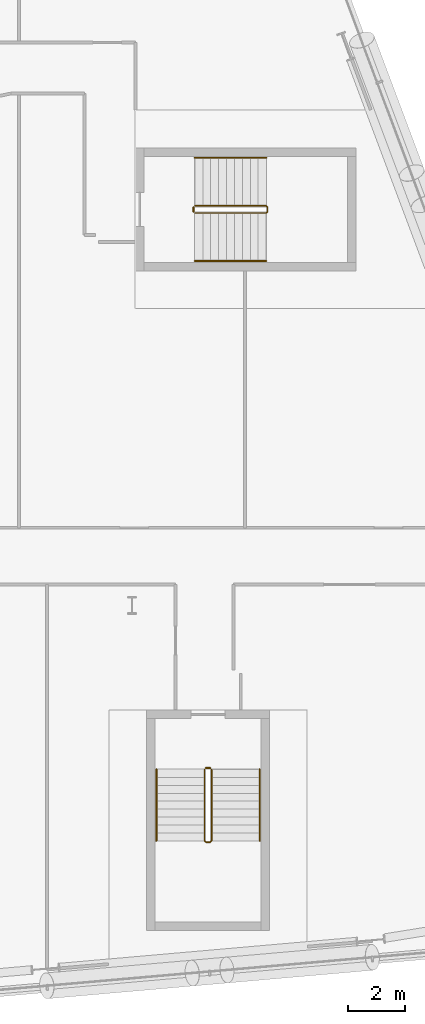
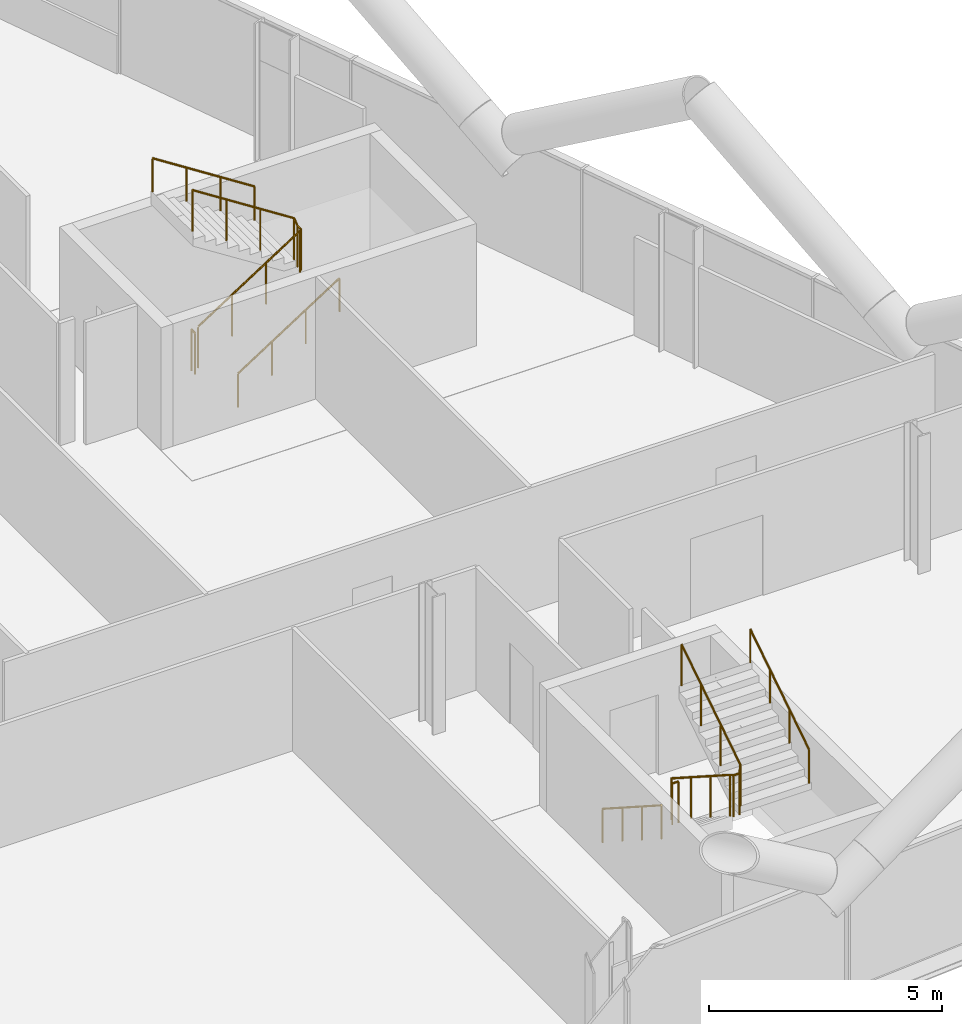
# One storey, part 27 of 27: 8 railings.
"""IFC4 building model written with IfcOpenShell, lengths in metres."""

from ifc_helpers import new_model, si_unit, direction, frame, origin, origin_2d, place, context, subcontext, project, spatial, circle, extrude, material, type_object, element, save


model = new_model("IFC4")

# Units and contexts
model_context = context("Model", 3, precision=1e-05, world=origin(), true_north=direction((0.0, 1.0)))
body_context = subcontext(model_context, "Body", "Model", "MODEL_VIEW")
ifc_project = project(units=[si_unit("LENGTHUNIT", "METRE"), si_unit("AREAUNIT", "SQUARE_METRE"), si_unit("VOLUMEUNIT", "CUBIC_METRE"), si_unit("PLANEANGLEUNIT", "RADIAN"), si_unit("MASSUNIT", "GRAM", prefix="KILO")], contexts=[model_context])

# Site, building, storey
site_placement = place(None, origin())
site = spatial("IfcSite", under=ifc_project, at=site_placement, CompositionType="ELEMENT")
building_placement = place(site_placement, origin())
building = spatial("IfcBuilding", under=site, at=building_placement, Name="Wharfspan Tower", CompositionType="ELEMENT")
storey_placement = place(building_placement, frame((0.0, 0.0, 48.699951)))
storey = spatial("IfcBuildingStorey", under=building, at=storey_placement, Name="L08", CompositionType="ELEMENT", Elevation=48.699951)

# Railings
ifc_material = material(Name="Steel S355J2", Category="steel")
railing_type_1 = type_object("IfcRailingType", Name="Stair guard 1100", PredefinedType="GUARDRAIL", material=ifc_material)
railing_1_placement = place(storey_placement, frame((74.567383, 5.691895, 0.179932)))
element("IfcRailing", 1, at=railing_1_placement, inside=storey, type_object=railing_type_1, Name="L08 ST5 stair guard 1", PredefinedType="GUARDRAIL", context=body_context, shape_type="SweptSolid", body=[
    extrude(circle(Radius=0.023926, at=origin_2d()), frame((0.0, 0.0, 1.076172), z_axis=(0.0, -0.841139, 0.540819), x_axis=(1.0, 0.0, 0.0)), (0.0, 0.0, 1.0), 2.995605),
    extrude(circle(Radius=0.023926, at=origin_2d()), frame((0.0, -2.519775, 2.696289), z_axis=(0.707107, -0.707107, 0.0), x_axis=(0.707107, 0.707107, 0.0)), (0.0, 0.0, 1.0), 0.070801),
    extrude(circle(Radius=0.023926, at=origin_2d()), frame((0.050049, -2.569824, 2.696289), z_axis=(1.0, 0.0, 0.0), x_axis=(0.0, 1.0, 0.0)), (0.0, 0.0, 1.0), 0.150146),
    extrude(circle(Radius=0.023926, at=origin_2d()), frame((0.200195, -2.569824, 2.696289), z_axis=(0.257669, 0.258932, 0.930892), x_axis=(-0.708833, 0.705372, 1e-06)), (0.0, 0.0, 1.0), 0.193359),
    extrude(circle(Radius=0.023926, at=origin_2d()), frame((0.25, -2.519775, 2.875977), z_axis=(0.0, 0.841139, 0.540819), x_axis=(-1.0, 0.0, 0.0)), (0.0, 0.0, 1.0), 2.995605),
    extrude(circle(Radius=0.020996, at=origin_2d()), origin(), (0.0, 0.0, 1.0), 1.052002),
    extrude(circle(Radius=0.020996, at=origin_2d()), frame((0.0, -0.839844, 0.540039)), (0.0, 0.0, 1.0), 1.052002),
    extrude(circle(Radius=0.020996, at=origin_2d()), frame((0.0, -1.679932, 1.080078)), (0.0, 0.0, 1.0), 1.052002),
    extrude(circle(Radius=0.020996, at=origin_2d()), frame((0.0, -2.519775, 1.620117)), (0.0, 0.0, 1.0), 1.052002),
    extrude(circle(Radius=0.020996, at=origin_2d()), frame((0.050049, -2.569824, 1.620117)), (0.0, 0.0, 1.0), 1.052002),
    extrude(circle(Radius=0.020996, at=origin_2d()), frame((0.200195, -2.569824, 1.620117)), (0.0, 0.0, 1.0), 1.052002),
    extrude(circle(Radius=0.020996, at=origin_2d()), frame((0.25, -2.519775, 1.800049)), (0.0, 0.0, 1.0), 1.052002),
    extrude(circle(Radius=0.020996, at=origin_2d()), frame((0.25, -1.679932, 2.340088)), (0.0, 0.0, 1.0), 1.052002),
    extrude(circle(Radius=0.020996, at=origin_2d()), frame((0.25, -0.839844, 2.880127)), (0.0, 0.0, 1.0), 1.052002),
    extrude(circle(Radius=0.020996, at=origin_2d()), frame((0.25, 0.0, 3.420166)), (0.0, 0.0, 1.0), 1.052002),
])
railing_2_placement = place(storey_placement, frame((74.617432, 5.741943, 0.0)))
element("IfcRailing", 2, at=railing_2_placement, inside=storey, type_object=railing_type_1, Name="L08 ST5 stair guard 2", PredefinedType="GUARDRAIL", context=body_context, shape_type="SweptSolid", body=[
    extrude(circle(Radius=0.023926, at=origin_2d()), frame((0.0, 0.0, 1.076172), z_axis=(1.0, 0.0, 0.0), x_axis=(0.0, 1.0, 0.0)), (0.0, 0.0, 1.0), 0.150146),
    extrude(circle(Radius=0.020996, at=origin_2d()), origin(), (0.0, 0.0, 1.0), 1.052002),
    extrude(circle(Radius=0.020996, at=origin_2d()), frame((0.150146, 0.0, 0.0)), (0.0, 0.0, 1.0), 1.052002),
])
railing_3_placement = place(storey_placement, frame((74.225098, 25.375, 0.179932)))
element("IfcRailing", 3, at=railing_3_placement, inside=storey, type_object=railing_type_1, Name="L08 ST6 stair guard 1", PredefinedType="GUARDRAIL", context=body_context, shape_type="SweptSolid", body=[
    extrude(circle(Radius=0.023926, at=origin_2d()), frame((0.0, 0.0, 1.076172), z_axis=(0.841163, 0.0, 0.540782), x_axis=(0.0, 1.0, 0.0)), (0.0, 0.0, 1.0), 2.99585),
    extrude(circle(Radius=0.023926, at=origin_2d()), frame((2.52002, 0.0, 2.696289), z_axis=(0.705376, 0.708834, 0.0), x_axis=(-0.708834, 0.705376, 0.0)), (0.0, 0.0, 1.0), 0.070557),
    extrude(circle(Radius=0.023926, at=origin_2d()), frame((2.569824, 0.050049, 2.696289), z_axis=(0.0, 1.0, 0.0), x_axis=(-1.0, 0.0, 0.0)), (0.0, 0.0, 1.0), 0.149902),
    extrude(circle(Radius=0.023926, at=origin_2d()), frame((2.569824, 0.199951, 2.696289), z_axis=(-0.257669, 0.258932, 0.930892), x_axis=(-0.708833, -0.705372, -1e-06)), (0.0, 0.0, 1.0), 0.193359),
    extrude(circle(Radius=0.023926, at=origin_2d()), frame((2.52002, 0.25, 2.875977), z_axis=(-0.841163, 0.0, 0.540782), x_axis=(0.0, -1.0, 0.0)), (0.0, 0.0, 1.0), 2.99585),
    extrude(circle(Radius=0.020996, at=origin_2d()), origin(), (0.0, 0.0, 1.0), 1.052002),
    extrude(circle(Radius=0.020996, at=origin_2d()), frame((0.840088, 0.0, 0.540039)), (0.0, 0.0, 1.0), 1.052002),
    extrude(circle(Radius=0.020996, at=origin_2d()), frame((1.679932, 0.0, 1.080078)), (0.0, 0.0, 1.0), 1.052002),
    extrude(circle(Radius=0.020996, at=origin_2d()), frame((2.52002, 0.0, 1.620117)), (0.0, 0.0, 1.0), 1.052002),
    extrude(circle(Radius=0.020996, at=origin_2d()), frame((2.569824, 0.050049, 1.620117)), (0.0, 0.0, 1.0), 1.052002),
    extrude(circle(Radius=0.020996, at=origin_2d()), frame((2.569824, 0.199951, 1.620117)), (0.0, 0.0, 1.0), 1.052002),
    extrude(circle(Radius=0.020996, at=origin_2d()), frame((2.52002, 0.25, 1.800049)), (0.0, 0.0, 1.0), 1.052002),
    extrude(circle(Radius=0.020996, at=origin_2d()), frame((1.679932, 0.25, 2.340088)), (0.0, 0.0, 1.0), 1.052002),
    extrude(circle(Radius=0.020996, at=origin_2d()), frame((0.840088, 0.25, 2.880127)), (0.0, 0.0, 1.0), 1.052002),
    extrude(circle(Radius=0.020996, at=origin_2d()), frame((0.0, 0.25, 3.420166)), (0.0, 0.0, 1.0), 1.052002),
])
railing_4_placement = place(storey_placement, frame((74.175049, 25.425049, 0.0)))
element("IfcRailing", 4, at=railing_4_placement, inside=storey, type_object=railing_type_1, Name="L08 ST6 stair guard 2", PredefinedType="GUARDRAIL", context=body_context, shape_type="SweptSolid", body=[
    extrude(circle(Radius=0.023926, at=origin_2d()), frame((0.0, 0.0, 1.076172), z_axis=(0.0, 1.0, 0.0), x_axis=(-1.0, 0.0, 0.0)), (0.0, 0.0, 1.0), 0.149902),
    extrude(circle(Radius=0.020996, at=origin_2d()), origin(), (0.0, 0.0, 1.0), 1.052002),
    extrude(circle(Radius=0.020996, at=origin_2d()), frame((0.0, 0.149902, 0.0)), (0.0, 0.0, 1.0), 1.052002),
])
railing_type_2 = type_object("IfcRailingType", Name="Stair handrail 900", PredefinedType="HANDRAIL", material=ifc_material)
railing_5_placement = place(storey_placement, frame((72.867432, 5.691895, 0.179932)))
element("IfcRailing", 5, at=railing_5_placement, inside=storey, type_object=railing_type_2, Name="L08 ST5 stair handrail 1", PredefinedType="HANDRAIL", context=body_context, shape_type="SweptSolid", body=[
    extrude(circle(Radius=0.023926, at=origin_2d()), frame((0.0, 0.0, 0.875977), z_axis=(0.0, -0.841139, 0.540819), x_axis=(1.0, 0.0, 0.0)), (0.0, 0.0, 1.0), 2.995605),
    extrude(circle(Radius=0.020996, at=origin_2d()), origin(), (0.0, 0.0, 1.0), 0.851807),
    extrude(circle(Radius=0.020996, at=origin_2d()), frame((0.0, -0.839844, 0.540039)), (0.0, 0.0, 1.0), 0.851807),
    extrude(circle(Radius=0.020996, at=origin_2d()), frame((0.0, -1.679932, 1.080078)), (0.0, 0.0, 1.0), 0.851807),
    extrude(circle(Radius=0.020996, at=origin_2d()), frame((0.0, -2.519775, 1.620117)), (0.0, 0.0, 1.0), 0.851807),
])
railing_6_placement = place(storey_placement, frame((76.517578, 3.172119, 1.97998)))
element("IfcRailing", 6, at=railing_6_placement, inside=storey, type_object=railing_type_2, Name="L08 ST5 stair handrail 2", PredefinedType="HANDRAIL", context=body_context, shape_type="SweptSolid", body=[
    extrude(circle(Radius=0.023926, at=origin_2d()), frame((0.0, 0.0, 0.875977), z_axis=(0.0, 0.841139, 0.540819), x_axis=(-1.0, 0.0, 0.0)), (0.0, 0.0, 1.0), 2.995605),
    extrude(circle(Radius=0.020996, at=origin_2d()), origin(), (0.0, 0.0, 1.0), 0.851807),
    extrude(circle(Radius=0.020996, at=origin_2d()), frame((0.0, 0.839844, 0.540039)), (0.0, 0.0, 1.0), 0.851807),
    extrude(circle(Radius=0.020996, at=origin_2d()), frame((0.0, 1.679932, 1.080078)), (0.0, 0.0, 1.0), 0.851807),
    extrude(circle(Radius=0.020996, at=origin_2d()), frame((0.0, 2.519775, 1.620117)), (0.0, 0.0, 1.0), 0.851807),
])
railing_7_placement = place(storey_placement, frame((74.225098, 23.675049, 0.179932)))
element("IfcRailing", 7, at=railing_7_placement, inside=storey, type_object=railing_type_2, Name="L08 ST6 stair handrail 1", PredefinedType="HANDRAIL", context=body_context, shape_type="SweptSolid", body=[
    extrude(circle(Radius=0.023926, at=origin_2d()), frame((0.0, 0.0, 0.875977), z_axis=(0.841163, 0.0, 0.540782), x_axis=(0.0, 1.0, 0.0)), (0.0, 0.0, 1.0), 2.99585),
    extrude(circle(Radius=0.020996, at=origin_2d()), origin(), (0.0, 0.0, 1.0), 0.851807),
    extrude(circle(Radius=0.020996, at=origin_2d()), frame((0.840088, 0.0, 0.540039)), (0.0, 0.0, 1.0), 0.851807),
    extrude(circle(Radius=0.020996, at=origin_2d()), frame((1.679932, 0.0, 1.080078)), (0.0, 0.0, 1.0), 0.851807),
    extrude(circle(Radius=0.020996, at=origin_2d()), frame((2.52002, 0.0, 1.620117)), (0.0, 0.0, 1.0), 0.851807),
])
railing_8_placement = place(storey_placement, frame((76.745117, 27.324951, 1.97998)))
element("IfcRailing", 8, at=railing_8_placement, inside=storey, type_object=railing_type_2, Name="L08 ST6 stair handrail 2", PredefinedType="HANDRAIL", context=body_context, shape_type="SweptSolid", body=[
    extrude(circle(Radius=0.023926, at=origin_2d()), frame((0.0, 0.0, 0.875977), z_axis=(-0.841163, 0.0, 0.540782), x_axis=(0.0, -1.0, 0.0)), (0.0, 0.0, 1.0), 2.99585),
    extrude(circle(Radius=0.020996, at=origin_2d()), origin(), (0.0, 0.0, 1.0), 0.851807),
    extrude(circle(Radius=0.020996, at=origin_2d()), frame((-0.840088, 0.0, 0.540039)), (0.0, 0.0, 1.0), 0.851807),
    extrude(circle(Radius=0.020996, at=origin_2d()), frame((-1.679932, 0.0, 1.080078)), (0.0, 0.0, 1.0), 0.851807),
    extrude(circle(Radius=0.020996, at=origin_2d()), frame((-2.52002, 0.0, 1.620117)), (0.0, 0.0, 1.0), 0.851807),
])

save(model, "model.ifc")
